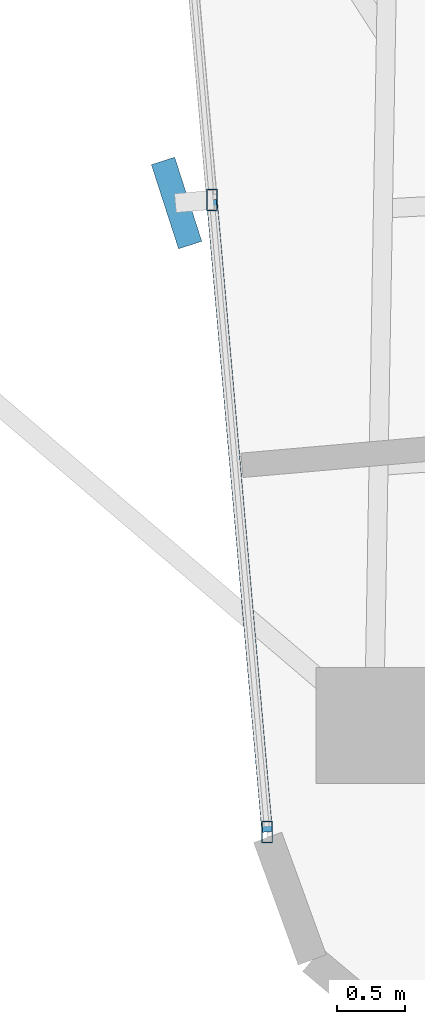
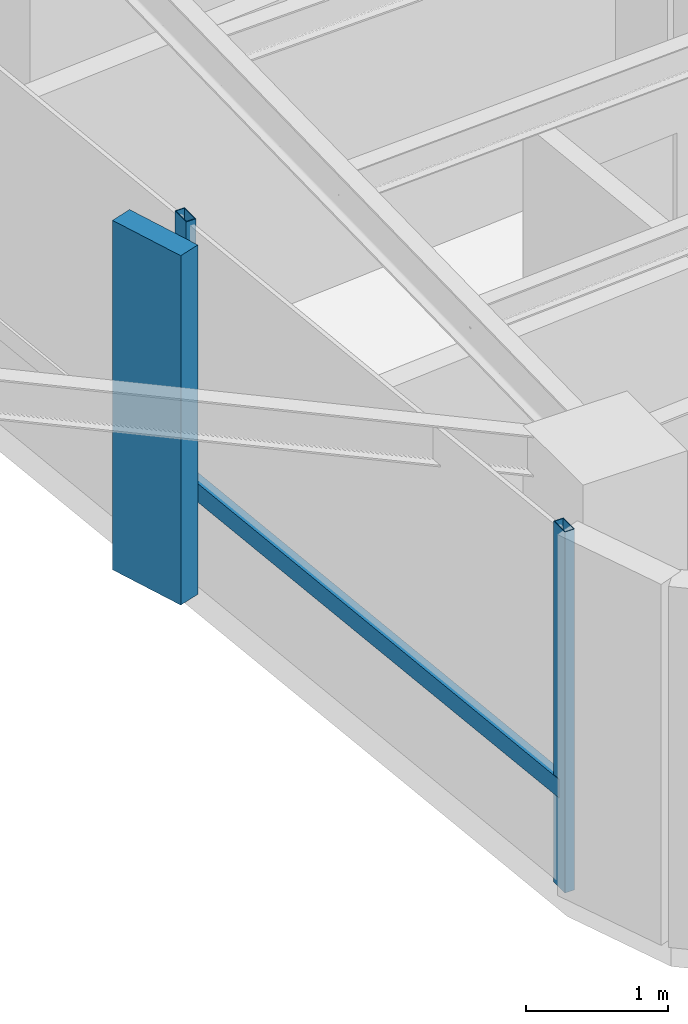
# One storey, part 2 of 24: 4 members, 1 element without a shape of its own.
"""IFC4 building model written with IfcOpenShell, lengths in metres."""

from ifc_helpers import new_model, si_unit, direction, frame, origin, origin_2d, place, context, subcontext, project, spatial, rectangle, hollow_rectangle, extrude, source, transform, mapped, material, material_profile, profile_set, type_object, element, aggregate, save


model = new_model("IFC4")

# Units and contexts
model_context = context("Model", 3, precision=1e-05, world=origin(), true_north=direction((0.0, 1.0)))
body_context = subcontext(model_context, "Body", "Model", "MODEL_VIEW")
ifc_project = project(units=[si_unit("LENGTHUNIT", "METRE"), si_unit("AREAUNIT", "SQUARE_METRE"), si_unit("VOLUMEUNIT", "CUBIC_METRE"), si_unit("PLANEANGLEUNIT", "RADIAN"), si_unit("MASSUNIT", "GRAM", prefix="KILO")], contexts=[model_context])

# Site, building, storey
site_placement = place(None, origin())
site = spatial("IfcSite", under=ifc_project, at=site_placement, CompositionType="ELEMENT")
building_placement = place(site_placement, origin())
building = spatial("IfcBuilding", under=site, at=building_placement, Name="Sahyath Konkavel Grand Hotel", CompositionType="ELEMENT")
storey_placement = place(building_placement, frame((0.0, 0.0, 175.199951171875)))
storey = spatial("IfcBuildingStorey", under=building, at=storey_placement, Name="L48", CompositionType="ELEMENT", Elevation=175.199951171875)

# Curtain wall, members
ifc_material_1 = material(Name="Anodised Bronze Aluminium & Low-E Glazing", Category="aluminium")
curtain_wall_type = type_object("IfcCurtainWallType", Name="CW-ZONE3", PredefinedType="NOTDEFINED", material=ifc_material_1)
curtain_wall_placement = place(storey_placement, origin())
curtain_wall = element("IfcCurtainWall", 1, at=curtain_wall_placement, inside=storey, type_object=curtain_wall_type, Name="L48 Unitised Curtain Wall F24", PredefinedType="NOTDEFINED")
ifc_material_2 = material(Name="Warm Buff Sandstone Cladding on Concrete C50/60", Category="masonry")
ifc_material_profile_1 = material_profile(ifc_material_2, rectangle(XDim=0.179931640625, YDim=0.64990234375, at=origin_2d()), Name="FIN 180x650")
ifc_profile_set_1 = profile_set([ifc_material_profile_1], Name="Warm Buff Sandstone Cladding on Concrete C50/60")
member_type_1 = type_object("IfcMemberType", Name="FIN-SANDSTONE-650", PredefinedType="MULLION", material=ifc_profile_set_1)
shared_shape_1 = source(origin(), body_context, "Body", "SweptSolid", [
    extrude(rectangle(XDim=0.179931640625, YDim=0.64990234375, at=origin_2d()), origin(), (0.0, 0.0, 1.0), 3.010009765625),
])
member_1_placement = place(storey_placement, frame((-5.386474609375, -14.273681640625, 0.050048828125), z_axis=(0.0, 0.0, 1.0), x_axis=(0.951648033235, 0.307190528564, 0.0)))
member_1 = element("IfcMember", 2, at=member_1_placement, type_object=member_type_1, Name="L48 Sandstone Vertical Solar Fin FIN F24-1", PredefinedType="MULLION", context=body_context, shape_type="MappedRepresentation", body=[
    mapped(shared_shape_1, transform((0.0, 0.0, 0.0), scale=1.0)),
])
ifc_material_3 = material(Name="Anodised Bronze Aluminium", Category="aluminium")
ifc_material_profile_2 = material_profile(ifc_material_3, hollow_rectangle(XDim=0.080078125, YDim=0.159912109375, WallThickness=0.006103515625, at=origin_2d()), Name="RHS 160x80x6")
ifc_profile_set_2 = profile_set([ifc_material_profile_2], Name="Anodised Bronze Aluminium")
member_type_2 = type_object("IfcMemberType", Name="CW-MUL-160", PredefinedType="MULLION", material=ifc_profile_set_2)
shared_shape_2 = source(origin(), body_context, "Body", "SweptSolid", [
    extrude(hollow_rectangle(XDim=0.080078125, YDim=0.159912109375, WallThickness=0.006103515625, at=origin_2d()), origin(), (0.0, 0.0, 1.0), 3.110107421875),
])
member_2_placement = place(storey_placement, frame((-5.12744140625, -14.251220703125, 0.0), z_axis=(0.0, 0.0, 1.0), x_axis=(1.0, 0.0, 0.0)))
member_2 = element("IfcMember", 3, at=member_2_placement, type_object=member_type_2, Name="L48 Curtain Wall Mullion F24-1", PredefinedType="MULLION", context=body_context, shape_type="MappedRepresentation", body=[
    mapped(shared_shape_2, transform((0.0, 0.0, 0.0), scale=1.0)),
])
member_3_placement = place(storey_placement, frame((-4.72119140625, -18.893310546875, 0.0), z_axis=(0.0, 0.0, 1.0), x_axis=(1.0, 0.0, 0.0)))
member_3 = element("IfcMember", 4, at=member_3_placement, type_object=member_type_2, Name="L48 Curtain Wall Mullion F24-2", PredefinedType="MULLION", context=body_context, shape_type="MappedRepresentation", body=[
    mapped(shared_shape_2, transform((0.0, 0.0, 0.0), scale=1.0)),
])
ifc_material_profile_3 = material_profile(ifc_material_3, hollow_rectangle(XDim=0.080078125, YDim=0.159912109375, WallThickness=0.006103515625, at=origin_2d()), Name="RHS 160x80x6")
ifc_profile_set_3 = profile_set([ifc_material_profile_3], Name="Anodised Bronze Aluminium")
member_type_3 = type_object("IfcMemberType", Name="CW-TRN-160", PredefinedType="USERDEFINED", material=ifc_profile_set_3)
shared_shape_3 = source(origin(), body_context, "Body", "SweptSolid", [
    extrude(hollow_rectangle(XDim=0.080078125, YDim=0.159912109375, WallThickness=0.006103515625, at=origin_2d()), origin(), (0.0, 0.0, 1.0), 4.659912109375),
])
member_4_placement = place(storey_placement, frame((-5.12744140625, -14.251220703125, 0.85009765625), z_axis=(0.087181248758, -0.996192466276, 0.0), x_axis=(0.996192466276, 0.087181248758, 0.0)))
member_4 = element("IfcMember", 5, at=member_4_placement, type_object=member_type_3, Name="L48 Curtain Wall Transom F24-1-spandrel", ObjectType="TRANSOM", PredefinedType="USERDEFINED", context=body_context, shape_type="MappedRepresentation", body=[
    mapped(shared_shape_3, transform((0.0, 0.0, 0.0), scale=1.0)),
])
aggregate(curtain_wall, [member_2, member_1, member_3, member_4])

save(model, "model.ifc")
